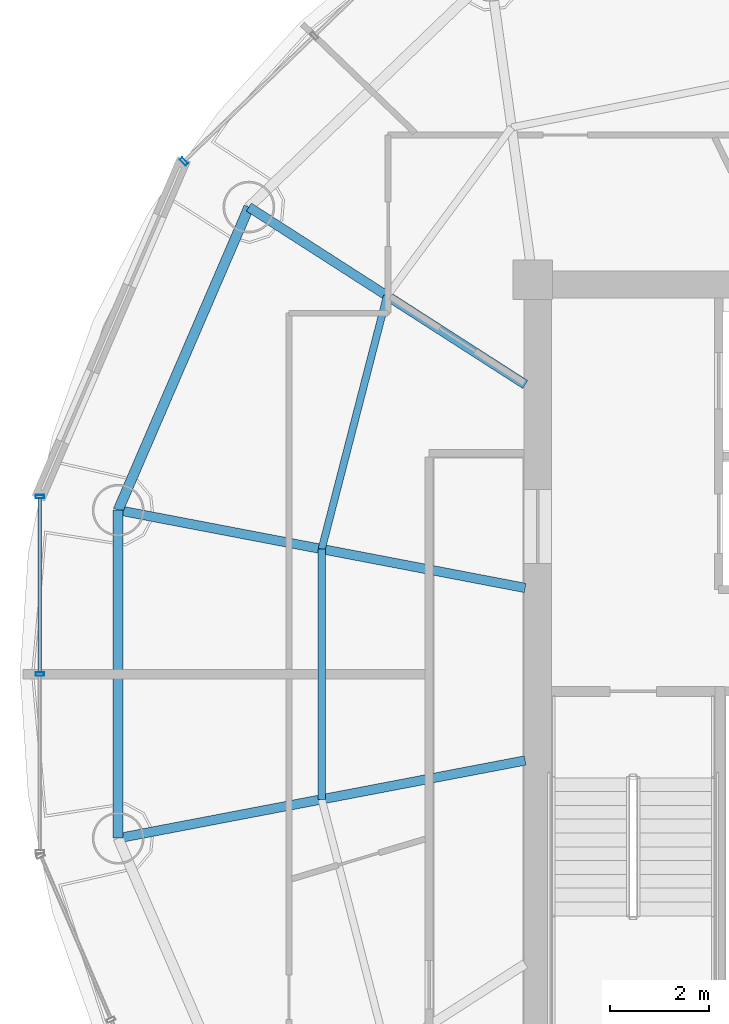
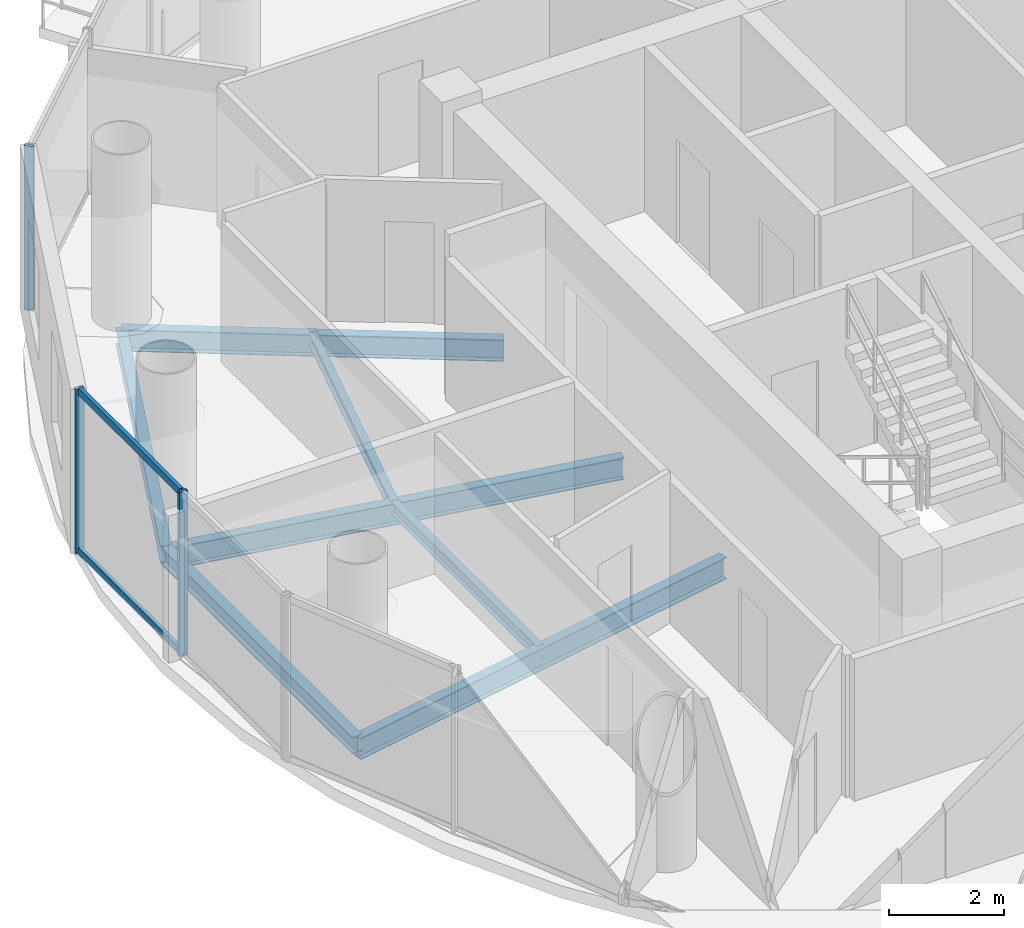
# One storey, part 8 of 24: 7 beams, 5 members, 2 elements without a shape of their own.
"""IFC4 building model written with IfcOpenShell, lengths in metres."""

from ifc_helpers import new_model, si_unit, direction, frame, origin, origin_2d, place, context, subcontext, project, spatial, hollow_rectangle, i_section, extrude, source, transform, mapped, material, material_profile, profile_set, type_object, element, aggregate, save


model = new_model("IFC4")

# Units and contexts
model_context = context("Model", 3, precision=1e-05, world=origin(), true_north=direction((-0.2419218956, 0.970295726276)))
body_context = subcontext(model_context, "Body", "Model", "MODEL_VIEW")
ifc_project = project(units=[si_unit("LENGTHUNIT", "METRE"), si_unit("AREAUNIT", "SQUARE_METRE"), si_unit("VOLUMEUNIT", "CUBIC_METRE"), si_unit("PLANEANGLEUNIT", "RADIAN"), si_unit("MASSUNIT", "GRAM", prefix="KILO")], contexts=[model_context])

# Site, building, storey
site_placement = place(None, origin())
site = spatial("IfcSite", under=ifc_project, at=site_placement, CompositionType="ELEMENT")
building_placement = place(site_placement, origin())
building = spatial("IfcBuilding", under=site, at=building_placement, Name="Cobrevalo Terracotta Tower", CompositionType="ELEMENT")
storey_placement = place(building_placement, frame((0.0, 0.0, 274.449951171875)))
storey = spatial("IfcBuildingStorey", under=building, at=storey_placement, Name="L72", CompositionType="ELEMENT", Elevation=274.449951171875)

# Beams
ifc_material_1 = material(Name="Steel S355", Category="steel")
ifc_material_profile_1 = material_profile(ifc_material_1, i_section(OverallWidth=0.19091796875, OverallDepth=0.4599609375, WebThickness=0.010009765625, FlangeThickness=0.01611328125, at=origin_2d()), Name="W 460x82")
ifc_profile_set_1 = profile_set([ifc_material_profile_1], Name="Steel S355")
beam_type_1 = type_object("IfcBeamType", Name="Structural Beam W 460x82 (Steel S355)", PredefinedType="BEAM", material=ifc_profile_set_1)
beam_1_placement = place(storey_placement, frame((23.241455078125, 36.2724609375, -0.489990234375), z_axis=(0.84157615512, -0.540138477739, 0.0), x_axis=(0.540138477739, 0.84157615512, 0.0)))
element("IfcBeam", 1, at=beam_1_placement, inside=storey, type_object=beam_type_1, Name="L72 radial floor girder 07", PredefinedType="BEAM", context=body_context, shape_type="SweptSolid", body=[
    extrude(i_section(OverallWidth=0.19091796875, OverallDepth=0.4599609375, WebThickness=0.010009765625, FlangeThickness=0.01611328125, at=origin_2d()), origin(), (0.0, 0.0, 1.0), 6.658447265625),
])
beam_2_placement = place(storey_placement, frame((20.591064453125, 30.126220703125, -0.489990234375), z_axis=(0.982234917636, -0.187655446433, 0.0), x_axis=(0.187655446433, 0.982234917636, 0.0)))
element("IfcBeam", 2, at=beam_2_placement, inside=storey, type_object=beam_type_1, Name="L72 radial floor girder 08", PredefinedType="BEAM", context=body_context, shape_type="SweptSolid", body=[
    extrude(i_section(OverallWidth=0.19091796875, OverallDepth=0.4599609375, WebThickness=0.010009765625, FlangeThickness=0.01611328125, at=origin_2d()), origin(), (0.0, 0.0, 1.0), 8.403076171875),
])
beam_3_placement = place(storey_placement, frame((20.591064453125, 23.4736328125, -0.489990234375), z_axis=(0.982229562106, 0.187683476432, 0.0), x_axis=(-0.187683476432, 0.982229562106, 0.0)))
element("IfcBeam", 3, at=beam_3_placement, inside=storey, type_object=beam_type_1, Name="L72 radial floor girder 09", PredefinedType="BEAM", context=body_context, shape_type="SweptSolid", body=[
    extrude(i_section(OverallWidth=0.19091796875, OverallDepth=0.4599609375, WebThickness=0.010009765625, FlangeThickness=0.01611328125, at=origin_2d()), origin(), (0.0, 0.0, 1.0), 8.4033203125),
])
ifc_material_profile_2 = material_profile(ifc_material_1, i_section(OverallWidth=0.14794921875, OverallDepth=0.26611328125, WebThickness=0.007568359375, FlangeThickness=0.012939453125, at=origin_2d()), Name="W 250x44.8")
ifc_profile_set_2 = profile_set([ifc_material_profile_2], Name="Steel S355")
beam_type_2 = type_object("IfcBeamType", Name="Structural Joist W 250x44.8 (Steel S355)", PredefinedType="JOIST", material=ifc_profile_set_2)
beam_4_placement = place(storey_placement, frame((26.043212890625, 34.47412109375, -0.39306640625), z_axis=(-0.249816773293, -0.968293126993, 0.0), x_axis=(0.968293126993, -0.249816773293, 0.0)))
element("IfcBeam", 4, at=beam_4_placement, inside=storey, type_object=beam_type_2, Name="L72 circumferential secondary floor joist 07", PredefinedType="JOIST", context=body_context, shape_type="SweptSolid", body=[
    extrude(i_section(OverallWidth=0.14794921875, OverallDepth=0.26611328125, WebThickness=0.007568359375, FlangeThickness=0.012939453125, at=origin_2d()), origin(), (0.0, 0.0, 1.0), 5.3046875),
])
beam_5_placement = place(storey_placement, frame((24.718017578125, 29.337646484375, -0.39306640625), z_axis=(0.0, -1.0, 0.0), x_axis=(1.0, 0.0, 0.0)))
element("IfcBeam", 5, at=beam_5_placement, inside=storey, type_object=beam_type_2, Name="L72 circumferential secondary floor joist 08", PredefinedType="JOIST", context=body_context, shape_type="SweptSolid", body=[
    extrude(i_section(OverallWidth=0.14794921875, OverallDepth=0.26611328125, WebThickness=0.007568359375, FlangeThickness=0.012939453125, at=origin_2d()), origin(), (0.0, 0.0, 1.0), 5.075439453125),
])
ifc_material_profile_3 = material_profile(ifc_material_1, i_section(OverallWidth=0.205078125, OverallDepth=0.35400390625, WebThickness=0.009521484375, FlangeThickness=0.016845703125, at=origin_2d()), Name="W 360x79")
ifc_profile_set_3 = profile_set([ifc_material_profile_3], Name="Steel S355")
beam_type_3 = type_object("IfcBeamType", Name="Structural Spandrel W 360x79 (Steel S355)", PredefinedType="SPANDREL", material=ifc_profile_set_3)
beam_6_placement = place(storey_placement, frame((23.241455078125, 36.2724609375, -0.43701171875), z_axis=(-0.395974127655, -0.918261667624, 0.0), x_axis=(0.918261667624, -0.395974127655, 0.0)))
element("IfcBeam", 6, at=beam_6_placement, inside=storey, type_object=beam_type_3, Name="L72 perimeter ring spandrel 07", PredefinedType="SPANDREL", context=body_context, shape_type="SweptSolid", body=[
    extrude(i_section(OverallWidth=0.205078125, OverallDepth=0.35400390625, WebThickness=0.009521484375, FlangeThickness=0.016845703125, at=origin_2d()), origin(), (0.0, 0.0, 1.0), 6.693359375),
])
beam_7_placement = place(storey_placement, frame((20.591064453125, 30.126220703125, -0.43701171875), z_axis=(0.0, -1.0, 0.0), x_axis=(1.0, 0.0, 0.0)))
element("IfcBeam", 7, at=beam_7_placement, inside=storey, type_object=beam_type_3, Name="L72 perimeter ring spandrel 08", PredefinedType="SPANDREL", context=body_context, shape_type="SweptSolid", body=[
    extrude(i_section(OverallWidth=0.205078125, OverallDepth=0.35400390625, WebThickness=0.009521484375, FlangeThickness=0.016845703125, at=origin_2d()), origin(), (0.0, 0.0, 1.0), 6.652587890625),
])

# Curtain wall, member
ifc_material_2 = material(Name="Anodized aluminium", Category="aluminium")
curtain_wall_type = type_object("IfcCurtainWallType", Name="Upper-tower triple-glazed penthouse curtain wall CW-U3", PredefinedType="NOTDEFINED", material=ifc_material_2)
curtain_wall_1_placement = place(storey_placement, origin())
curtain_wall_1 = element("IfcCurtainWall", 8, at=curtain_wall_1_placement, inside=storey, type_object=curtain_wall_type, Name="L72 curtain wall CW-L72-S06", PredefinedType="NOTDEFINED")
ifc_material_profile_4 = material_profile(ifc_material_2, hollow_rectangle(XDim=0.070068359375, YDim=0.169921875, WallThickness=0.00439453125, at=origin_2d()), Name="CWM 70x170")
ifc_profile_set_4 = profile_set([ifc_material_profile_4], Name="Anodized aluminium")
member_type_1 = type_object("IfcMemberType", Name="Upper tower unitised mullion 70x170", PredefinedType="MULLION", material=ifc_profile_set_4)
shared_shape_1 = source(origin(), body_context, "Body", "SweptSolid", [
    extrude(hollow_rectangle(XDim=0.070068359375, YDim=0.169921875, WallThickness=0.00439453125, at=origin_2d()), origin(), (0.0, 0.0, 1.0), 3.489990234375),
])
member_1_placement = place(storey_placement, frame((21.92333984375, 37.2001953125, 0.0), z_axis=(0.0, 0.0, 1.0), x_axis=(-0.71999418085, -0.69398010025, 0.0)))
member_1 = element("IfcMember", 9, at=member_1_placement, type_object=member_type_1, Name="CW-L72-S06 vertical mullion 03", PredefinedType="MULLION", context=body_context, shape_type="MappedRepresentation", body=[
    mapped(shared_shape_1, transform((0.0, 0.0, 0.0), scale=1.0)),
])
aggregate(curtain_wall_1, [member_1])

# Curtain wall, members
curtain_wall_2_placement = place(storey_placement, origin())
curtain_wall_2 = element("IfcCurtainWall", 10, at=curtain_wall_2_placement, inside=storey, type_object=curtain_wall_type, Name="L72 curtain wall CW-L72-S08", PredefinedType="NOTDEFINED")
member_2_placement = place(storey_placement, frame((19.002197265625, 30.40234375, 0.0), z_axis=(0.0, 0.0, 1.0), x_axis=(0.0, -1.0, 0.0)))
member_2 = element("IfcMember", 11, at=member_2_placement, type_object=member_type_1, Name="CW-L72-S08 vertical mullion 01", PredefinedType="MULLION", context=body_context, shape_type="MappedRepresentation", body=[
    mapped(shared_shape_1, transform((0.0, 0.0, 0.0), scale=1.0)),
])
member_3_placement = place(storey_placement, frame((19.002197265625, 26.800048828125, 0.0), z_axis=(0.0, 0.0, 1.0), x_axis=(0.0, -1.0, 0.0)))
member_3 = element("IfcMember", 12, at=member_3_placement, type_object=member_type_1, Name="CW-L72-S08 vertical mullion 02", PredefinedType="MULLION", context=body_context, shape_type="MappedRepresentation", body=[
    mapped(shared_shape_1, transform((0.0, 0.0, 0.0), scale=1.0)),
])
ifc_material_profile_5 = material_profile(ifc_material_2, hollow_rectangle(XDim=0.074951171875, YDim=0.14990234375, WallThickness=0.00439453125, at=origin_2d()), Name="CWT 75x150")
ifc_profile_set_5 = profile_set([ifc_material_profile_5], Name="Anodized aluminium")
member_type_2 = type_object("IfcMemberType", Name="Tower unitised aluminium transom 75x150", PredefinedType="USERDEFINED", material=ifc_profile_set_5)
shared_shape_2 = source(origin(), body_context, "Body", "SweptSolid", [
    extrude(hollow_rectangle(XDim=0.074951171875, YDim=0.14990234375, WallThickness=0.00439453125, at=origin_2d()), origin(), (0.0, 0.0, 1.0), 3.522216796875),
])
member_4_placement = place(storey_placement, frame((19.002197265625, 30.3623046875, 0.050048828125), z_axis=(0.0, -1.0, 0.0), x_axis=(1.0, 0.0, 0.0)))
member_4 = element("IfcMember", 13, at=member_4_placement, type_object=member_type_2, Name="CW-L72-S08 transom B01-T1", ObjectType="TRANSOM", PredefinedType="USERDEFINED", context=body_context, shape_type="MappedRepresentation", body=[
    mapped(shared_shape_2, transform((0.0, 0.0, 0.0), scale=1.0)),
])
member_5_placement = place(storey_placement, frame((19.002197265625, 30.3623046875, 3.43994140625), z_axis=(0.0, -1.0, 0.0), x_axis=(1.0, 0.0, 0.0)))
member_5 = element("IfcMember", 14, at=member_5_placement, type_object=member_type_2, Name="CW-L72-S08 transom B01-T2", ObjectType="TRANSOM", PredefinedType="USERDEFINED", context=body_context, shape_type="MappedRepresentation", body=[
    mapped(shared_shape_2, transform((0.0, 0.0, 0.0), scale=1.0)),
])
aggregate(curtain_wall_2, [member_2, member_3, member_4, member_5])

save(model, "model.ifc")
